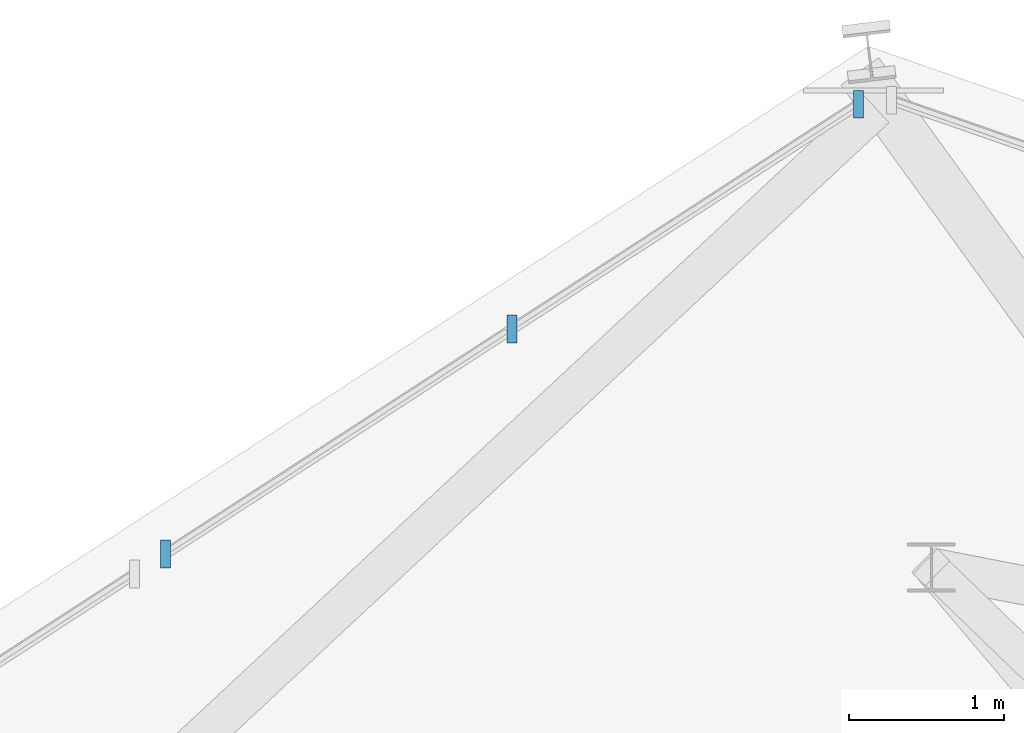
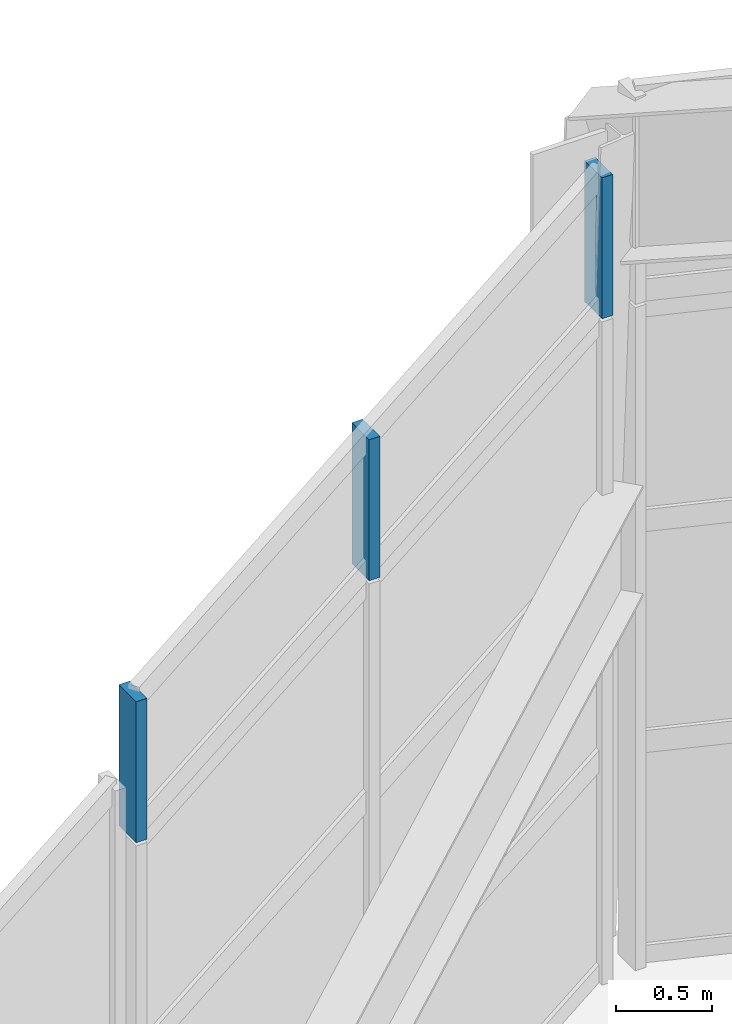
# One storey, part 23 of 50: 3 members, 1 element without a shape of its own.
"""IFC4 building model written with IfcOpenShell, lengths in metres."""

from ifc_helpers import new_model, si_unit, direction, frame, origin, origin_2d, place, context, subcontext, project, spatial, rectangle, extrude, material, material_profile, profile_set, type_object, element, aggregate, save


model = new_model("IFC4")

# Units and contexts
model_context = context("Model", 3, precision=1e-05, world=origin(), true_north=direction((0.0, 1.0)))
body_context = subcontext(model_context, "Body", "Model", "MODEL_VIEW")
ifc_project = project(units=[si_unit("LENGTHUNIT", "METRE"), si_unit("AREAUNIT", "SQUARE_METRE"), si_unit("VOLUMEUNIT", "CUBIC_METRE"), si_unit("PLANEANGLEUNIT", "RADIAN"), si_unit("MASSUNIT", "GRAM", prefix="KILO")], contexts=[model_context])

# Site, building, storey
site_placement = place(None, origin())
site = spatial("IfcSite", under=ifc_project, at=site_placement, CompositionType="ELEMENT")
building_placement = place(site_placement, origin())
building = spatial("IfcBuilding", under=site, at=building_placement, Name="Sarnbrook Museum", CompositionType="ELEMENT")
storey_placement = place(building_placement, frame((0.0, 0.0, 28.10009765625)))
storey = spatial("IfcBuildingStorey", under=building, at=storey_placement, Name="L05", CompositionType="ELEMENT", Elevation=28.10009765625)

# Curtain wall, members
ifc_material = material(Name="Thermally Broken Anodised Aluminium 6063-T6", Category="aluminium")
curtain_wall_type = type_object("IfcCurtainWallType", Name="CurtainWall_Sawtooth", PredefinedType="NOTDEFINED", material=ifc_material)
curtain_wall_placement = place(storey_placement, origin())
curtain_wall = element("IfcCurtainWall", 1, at=curtain_wall_placement, inside=storey, type_object=curtain_wall_type, Name="Crystal Roof Folded Eaves Clerestory 11", PredefinedType="NOTDEFINED")
ifc_material_profile = material_profile(ifc_material, rectangle(XDim=0.06494140625, YDim=0.179931640625, at=origin_2d()), Name="ALU MULLION 65x180")
ifc_profile_set = profile_set([ifc_material_profile], Name="Thermally Broken Anodised Aluminium 6063-T6")
member_type = type_object("IfcMemberType", Name="CW_Mullion_180x75", PredefinedType="MULLION", material=ifc_profile_set)
member_1_placement = place(storey_placement, frame((136.33349609375, 111.452880859375, 4.219970703125), z_axis=(0.0, 0.0, 1.0), x_axis=(1.0, 0.0, 0.0)))
member_1 = element("IfcMember", 2, at=member_1_placement, type_object=member_type, Name="Crystal Roof Folded Eaves Clerestory 11 Mullion 1", PredefinedType="MULLION", context=body_context, shape_type="SweptSolid", body=[
    extrude(rectangle(XDim=0.06494140625, YDim=0.179931640625, at=origin_2d()), origin(), (0.0, 0.0, 1.0), 0.892822265625),
])
member_2_placement = place(storey_placement, frame((134.10205078125, 110.0048828125, 4.219970703125), z_axis=(0.0, 0.0, 1.0), x_axis=(1.0, 0.0, 0.0)))
member_2 = element("IfcMember", 3, at=member_2_placement, type_object=member_type, Name="Crystal Roof Folded Eaves Clerestory 11 Mullion 2", PredefinedType="MULLION", context=body_context, shape_type="SweptSolid", body=[
    extrude(rectangle(XDim=0.06494140625, YDim=0.179931640625, at=origin_2d()), origin(), (0.0, 0.0, 1.0), 0.892822265625),
])
member_3_placement = place(storey_placement, frame((131.87060546875, 108.55712890625, 4.219970703125), z_axis=(0.0, 0.0, 1.0), x_axis=(1.0, 0.0, 0.0)))
member_3 = element("IfcMember", 4, at=member_3_placement, type_object=member_type, Name="Crystal Roof Folded Eaves Clerestory 11 Mullion 3", PredefinedType="MULLION", context=body_context, shape_type="SweptSolid", body=[
    extrude(rectangle(XDim=0.06494140625, YDim=0.179931640625, at=origin_2d()), origin(), (0.0, 0.0, 1.0), 0.892822265625),
])
aggregate(curtain_wall, [member_1, member_2, member_3])

save(model, "model.ifc")
